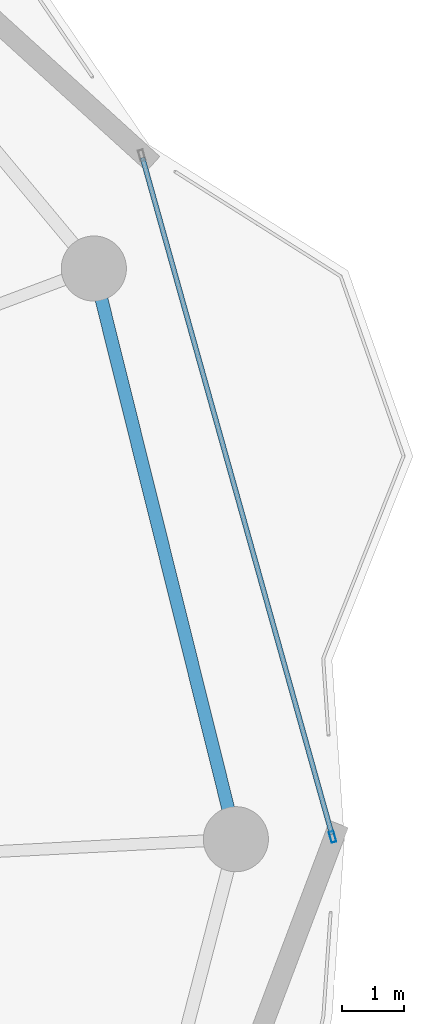
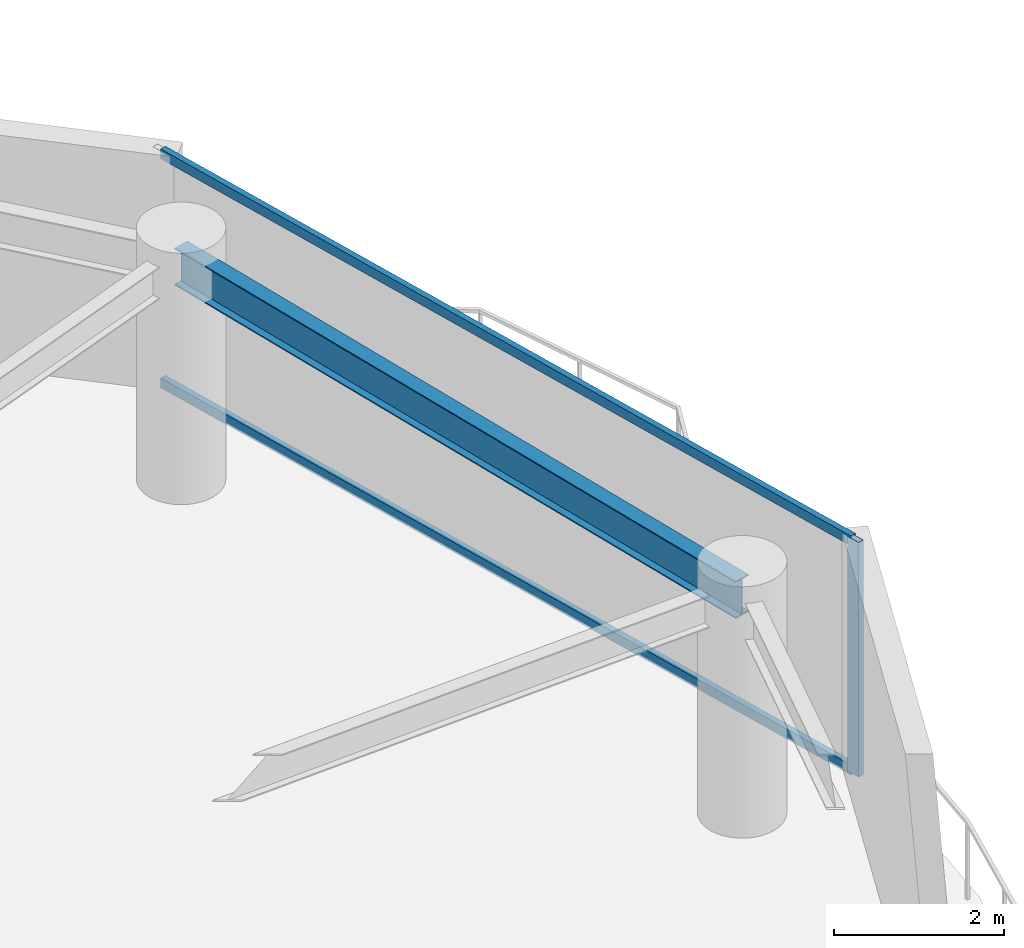
# One storey, part 15 of 29: 3 members, 1 beam, 1 element without a shape of its own.
"""IFC4 building model written with IfcOpenShell, lengths in metres."""

from ifc_helpers import new_model, si_unit, direction, frame, origin, origin_2d, place, context, subcontext, project, spatial, hollow_rectangle, i_section, extrude, material, layer, layer_set, material_profile, profile_set, type_object, element, aggregate, save


model = new_model("IFC4")

# Units and contexts
model_context = context("Model", 3, precision=1e-05, world=origin(), true_north=direction((0.0, 1.0)))
body_context = subcontext(model_context, "Body", "Model", "MODEL_VIEW")
ifc_project = project(units=[si_unit("LENGTHUNIT", "METRE"), si_unit("AREAUNIT", "SQUARE_METRE"), si_unit("VOLUMEUNIT", "CUBIC_METRE"), si_unit("PLANEANGLEUNIT", "RADIAN"), si_unit("MASSUNIT", "GRAM", prefix="KILO")], contexts=[model_context])

# Site, building, storey
site_placement = place(None, origin())
site = spatial("IfcSite", under=ifc_project, at=site_placement, CompositionType="ELEMENT")
building_placement = place(site_placement, origin())
building = spatial("IfcBuilding", under=site, at=building_placement, Name="Kazevale Care Tower and Concert Hall", CompositionType="ELEMENT")
storey_placement = place(building_placement, frame((0.0, 0.0, 224.39990234375)))
storey = spatial("IfcBuildingStorey", under=building, at=storey_placement, Name="L59", CompositionType="ELEMENT", Elevation=224.39990234375)

# Curtain wall, members
ifc_material_1 = material(Name="Aluminium 6063-T6 and Low-E Glass", Category="aluminium")
ifc_layer = layer(ifc_material_1, 0.179931640625)
ifc_layer_set = layer_set([ifc_layer], Name="Aluminium 6063-T6 and Low-E Glass")
curtain_wall_type = type_object("IfcCurtainWallType", Name="Waist & Upper Residential Curtain Wall CW-4", PredefinedType="NOTDEFINED", material=ifc_layer_set)
curtain_wall_placement = place(storey_placement, origin())
curtain_wall = element("IfcCurtainWall", 1, at=curtain_wall_placement, inside=storey, type_object=curtain_wall_type, Name="cw:L59:f18", PredefinedType="NOTDEFINED")
ifc_material_2 = material(Name="Aluminium 6063-T6", Category="aluminium")
ifc_material_profile_1 = material_profile(ifc_material_2, hollow_rectangle(XDim=0.080078125, YDim=0.179931640625, WallThickness=0.0048828125, at=origin_2d()), Name="ALU80x180x5")
ifc_profile_set_1 = profile_set([ifc_material_profile_1], Name="Aluminium 6063-T6")
member_type_1 = type_object("IfcMemberType", Name="CW-4 Mullion ALU80x180x5", PredefinedType="MULLION", material=ifc_profile_set_1)
member_1_placement = place(storey_placement, frame((76.609130859375, 38.03857421875, 0.0), z_axis=(0.0, 0.0, 1.0), x_axis=(0.962972156211, 0.269600864915, 0.0)))
member_1 = element("IfcMember", 2, at=member_1_placement, type_object=member_type_1, Name="CW-4 mullion 2", PredefinedType="MULLION", context=body_context, shape_type="SweptSolid", body=[
    extrude(hollow_rectangle(XDim=0.080078125, YDim=0.179931640625, WallThickness=0.0048828125, at=origin_2d()), origin(), (0.0, 0.0, 1.0), 3.360107421875),
])
ifc_material_profile_2 = material_profile(ifc_material_2, hollow_rectangle(XDim=0.080078125, YDim=0.139892578125, WallThickness=0.00390625, at=origin_2d()), Name="ALU80x140x4")
ifc_profile_set_2 = profile_set([ifc_material_profile_2], Name="Aluminium 6063-T6")
member_type_2 = type_object("IfcMemberType", Name="CW-4 Transom ALU80x140x4", PredefinedType="USERDEFINED", material=ifc_profile_set_2)
member_2_placement = place(storey_placement, frame((73.544677734375, 48.98486328125, 0.0400390625), z_axis=(0.269593149795, -0.96297431616, 0.0), x_axis=(0.96297431616, 0.269593149795, 0.0)))
member_2 = element("IfcMember", 3, at=member_2_placement, type_object=member_type_2, Name="CW-4 transom 1.1", ObjectType="TRANSOM", PredefinedType="USERDEFINED", context=body_context, shape_type="SweptSolid", body=[
    extrude(hollow_rectangle(XDim=0.080078125, YDim=0.139892578125, WallThickness=0.00390625, at=origin_2d()), origin(), (0.0, 0.0, 1.0), 11.3271484375),
])
member_3_placement = place(storey_placement, frame((73.544677734375, 48.98486328125, 3.320068359375), z_axis=(0.269593149795, -0.96297431616, 0.0), x_axis=(0.96297431616, 0.269593149795, 0.0)))
member_3 = element("IfcMember", 4, at=member_3_placement, type_object=member_type_2, Name="CW-4 transom 1.2", ObjectType="TRANSOM", PredefinedType="USERDEFINED", context=body_context, shape_type="SweptSolid", body=[
    extrude(hollow_rectangle(XDim=0.080078125, YDim=0.139892578125, WallThickness=0.00390625, at=origin_2d()), origin(), (0.0, 0.0, 1.0), 11.3271484375),
])
aggregate(curtain_wall, [member_1, member_2, member_3])

# Beam
ifc_material_3 = material(Name="Steel ASTM A572 Gr 50", Category="steel")
ifc_material_profile_3 = material_profile(ifc_material_3, i_section(OverallWidth=0.208984375, OverallDepth=0.532958984375, WebThickness=0.01025390625, FlangeThickness=0.015625, at=origin_2d()), Name="W530x92")
ifc_profile_set_3 = profile_set([ifc_material_profile_3], Name="Steel ASTM A572 Gr 50")
beam_type = type_object("IfcBeamType", Name="Upper Ring Beam W530x92", PredefinedType="BEAM", material=ifc_profile_set_3)
beam_placement = place(storey_placement, frame((75.050048828125, 38.0, 3.093505859375), z_axis=(-0.241547858543, 0.970388907621, 0.0), x_axis=(-0.970388907621, -0.241547858543, 0.0)))
element("IfcBeam", 5, at=beam_placement, inside=storey, type_object=beam_type, Name="beam:L59:ring:01", PredefinedType="BEAM", context=body_context, shape_type="SweptSolid", body=[
    extrude(i_section(OverallWidth=0.208984375, OverallDepth=0.532958984375, WebThickness=0.01025390625, FlangeThickness=0.015625, at=origin_2d()), origin(), (0.0, 0.0, 1.0), 9.480712890625),
])

save(model, "model.ifc")
